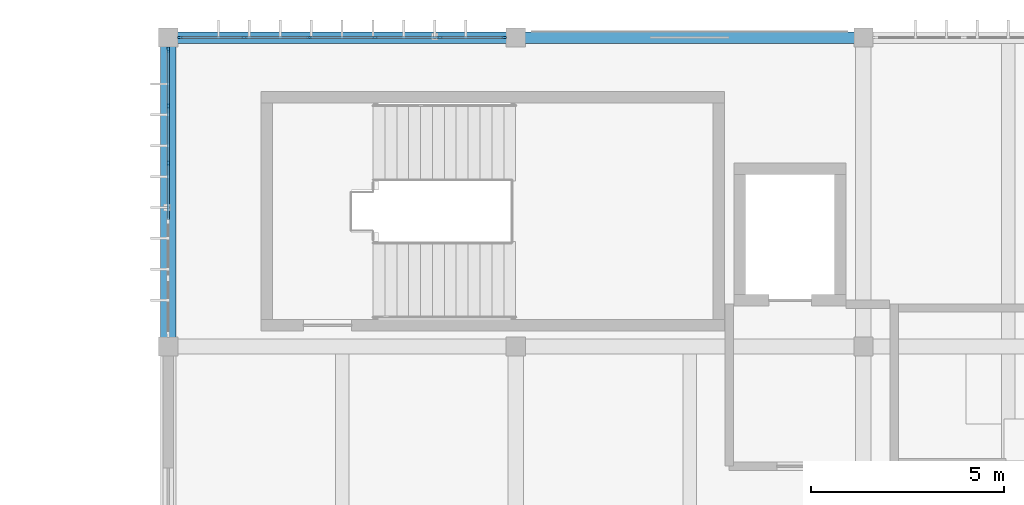
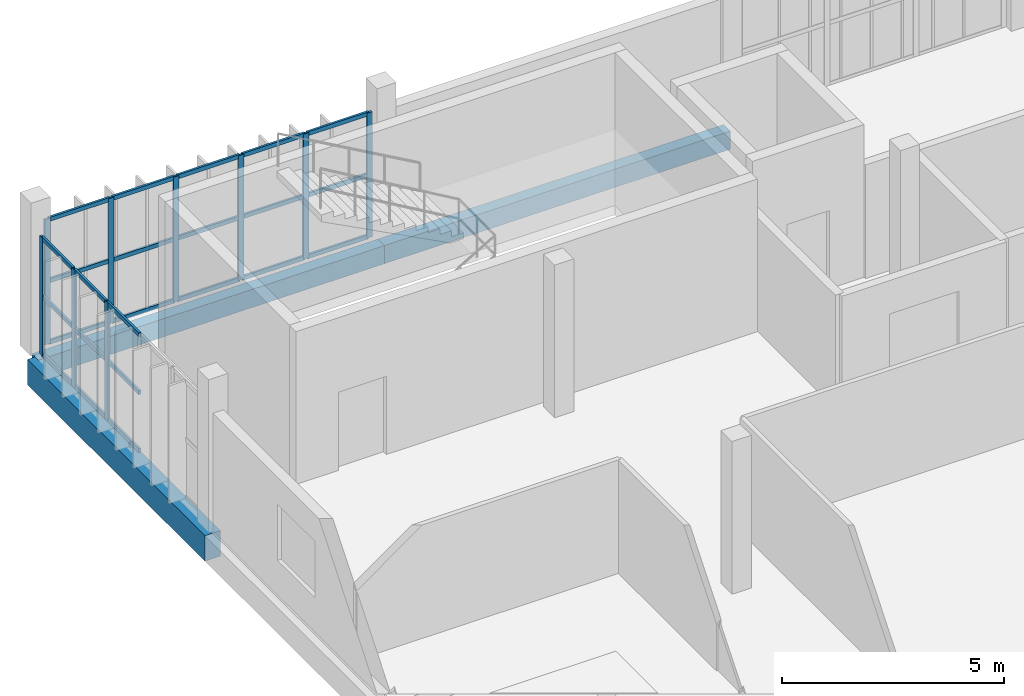
# One storey, part 4 of 27: 33 members, 3 beams, 2 elements without a shape of their own.
"""IFC4 building model written with IfcOpenShell, lengths in metres."""

from ifc_helpers import new_model, si_unit, direction, frame, origin, origin_2d, place, context, subcontext, project, spatial, rectangle, extrude, material, material_profile, profile_set, type_object, element, aggregate, save


model = new_model("IFC4")

# Units and contexts
model_context = context("Model", 3, precision=1e-05, world=origin(), true_north=direction((0.0, 1.0)))
body_context = subcontext(model_context, "Body", "Model", "MODEL_VIEW")
ifc_project = project(units=[si_unit("LENGTHUNIT", "METRE"), si_unit("AREAUNIT", "SQUARE_METRE"), si_unit("VOLUMEUNIT", "CUBIC_METRE"), si_unit("PLANEANGLEUNIT", "RADIAN"), si_unit("MASSUNIT", "GRAM", prefix="KILO")], contexts=[model_context])

# Site, building, storey
site_placement = place(None, origin())
site = spatial("IfcSite", under=ifc_project, at=site_placement, CompositionType="ELEMENT")
building_placement = place(site_placement, origin())
building = spatial("IfcBuilding", under=site, at=building_placement, Name="Vourika Railside Aquatics Centre", CompositionType="ELEMENT")
storey_placement = place(building_placement, frame((0.0, 0.0, 13.5)))
storey = spatial("IfcBuildingStorey", under=building, at=storey_placement, Name="L03", CompositionType="ELEMENT", Elevation=13.5)

# Beams
ifc_material_1 = material(Name="Concrete C35/45", Category="concrete")
ifc_material_profile_1 = material_profile(ifc_material_1, rectangle(XDim=0.39990234375, YDim=0.699951171875, at=origin_2d()), Name="RC 400x700")
ifc_profile_set_1 = profile_set([ifc_material_profile_1], Name="Concrete C35/45")
beam_type_1 = type_object("IfcBeamType", Name="BM-GIRD-400x700", PredefinedType="BEAM", material=ifc_profile_set_1)
beam_placement = place(storey_placement, frame((18.0, 108.0, -0.610107421875), z_axis=(0.0, 1.0, 0.0), x_axis=(-1.0, 0.0, 0.0)))
element("IfcBeam", 1, at=beam_placement, inside=storey, type_object=beam_type_1, Name="Floor Girder GY-L03-111", PredefinedType="BEAM", context=body_context, shape_type="SweptSolid", body=[
    extrude(rectangle(XDim=0.39990234375, YDim=0.699951171875, at=origin_2d()), origin(), (0.0, 0.0, 1.0), 8.0),
])
ifc_material_profile_2 = material_profile(ifc_material_1, rectangle(XDim=0.300048828125, YDim=0.5, at=origin_2d()), Name="RC 300x500")
ifc_profile_set_2 = profile_set([ifc_material_profile_2], Name="Concrete C35/45")
beam_type_2 = type_object("IfcBeamType", Name="BM-SPAN-300x500", PredefinedType="SPANDREL", material=ifc_profile_set_2)
for number, where, z_axis, x_axis, name in (
    (2, (18.0, 116.0, -0.510009765625), (1.0, 0.0, 0.0), (0.0, 1.0, 0.0), "Floor Beam GX-L03-085"),
    (3, (27.0, 116.0, -0.510009765625), (1.0, 0.0, 0.0), (0.0, 1.0, 0.0), "Floor Beam GX-L03-086"),
):
    element("IfcBeam", number, at=place(storey_placement, frame(where, z_axis=z_axis, x_axis=x_axis)), inside=storey, type_object=beam_type_2, Name=name, PredefinedType="SPANDREL", context=body_context, shape_type="SweptSolid", body=[
        extrude(rectangle(XDim=0.300048828125, YDim=0.5, at=origin_2d()), origin(), (0.0, 0.0, 1.0), 9.0),
    ])

# Curtain wall, members
ifc_material_2 = material(Name="Anodized thermally broken aluminium", Category="aluminium")
curtain_wall_type = type_object("IfcCurtainWallType", Name="CW-FIT3", PredefinedType="NOTDEFINED", material=ifc_material_2)
curtain_wall_1_placement = place(storey_placement, origin())
curtain_wall_1 = element("IfcCurtainWall", 4, at=curtain_wall_1_placement, inside=storey, type_object=curtain_wall_type, Name="North Boulevard Curtain Wall L03-1", PredefinedType="NOTDEFINED")
ifc_material_3 = material(Name="Anodized aluminium mullion", Category="aluminium")
ifc_material_profile_3 = material_profile(ifc_material_3, rectangle(XDim=0.05810546875, YDim=0.14208984375, at=origin_2d()), Name="ALU-M 58x142")
ifc_profile_set_3 = profile_set([ifc_material_profile_3], Name="Anodized aluminium mullion")
member_type_1 = type_object("IfcMemberType", Name="CWM-FIT3", PredefinedType="MULLION", material=ifc_profile_set_3)
member_1_placement = place(storey_placement, frame((26.69091796875, 116.0, 0.0), z_axis=(0.0, 0.0, 1.0), x_axis=(0.0, -1.0, 0.0)))
member_1 = element("IfcMember", 5, at=member_1_placement, type_object=member_type_1, Name="CW17 mullion 1", PredefinedType="MULLION", context=body_context, shape_type="SweptSolid", body=[
    extrude(rectangle(XDim=0.05810546875, YDim=0.14208984375, at=origin_2d()), origin(), (0.0, 0.0, 1.0), 3.43994140625),
])
member_2_placement = place(storey_placement, frame((25.031982421875, 116.0, 0.0), z_axis=(0.0, 0.0, 1.0), x_axis=(0.0, -1.0, 0.0)))
member_2 = element("IfcMember", 6, at=member_2_placement, type_object=member_type_1, Name="CW17 mullion 2", PredefinedType="MULLION", context=body_context, shape_type="SweptSolid", body=[
    extrude(rectangle(XDim=0.05810546875, YDim=0.14208984375, at=origin_2d()), origin(), (0.0, 0.0, 1.0), 3.43994140625),
])
member_3_placement = place(storey_placement, frame((23.343994140625, 116.0, 0.0), z_axis=(0.0, 0.0, 1.0), x_axis=(0.0, -1.0, 0.0)))
member_3 = element("IfcMember", 7, at=member_3_placement, type_object=member_type_1, Name="CW17 mullion 3", PredefinedType="MULLION", context=body_context, shape_type="SweptSolid", body=[
    extrude(rectangle(XDim=0.05810546875, YDim=0.14208984375, at=origin_2d()), origin(), (0.0, 0.0, 1.0), 3.43994140625),
])
member_4_placement = place(storey_placement, frame((21.656005859375, 116.0, 0.0), z_axis=(0.0, 0.0, 1.0), x_axis=(0.0, -1.0, 0.0)))
member_4 = element("IfcMember", 8, at=member_4_placement, type_object=member_type_1, Name="CW17 mullion 4", PredefinedType="MULLION", context=body_context, shape_type="SweptSolid", body=[
    extrude(rectangle(XDim=0.05810546875, YDim=0.14208984375, at=origin_2d()), origin(), (0.0, 0.0, 1.0), 3.43994140625),
])
member_5_placement = place(storey_placement, frame((19.968017578125, 116.0, 0.0), z_axis=(0.0, 0.0, 1.0), x_axis=(0.0, -1.0, 0.0)))
member_5 = element("IfcMember", 9, at=member_5_placement, type_object=member_type_1, Name="CW17 mullion 5", PredefinedType="MULLION", context=body_context, shape_type="SweptSolid", body=[
    extrude(rectangle(XDim=0.05810546875, YDim=0.14208984375, at=origin_2d()), origin(), (0.0, 0.0, 1.0), 3.43994140625),
])
member_6_placement = place(storey_placement, frame((18.30908203125, 116.0, 0.0), z_axis=(0.0, 0.0, 1.0), x_axis=(0.0, -1.0, 0.0)))
member_6 = element("IfcMember", 10, at=member_6_placement, type_object=member_type_1, Name="CW17 mullion 6", PredefinedType="MULLION", context=body_context, shape_type="SweptSolid", body=[
    extrude(rectangle(XDim=0.05810546875, YDim=0.14208984375, at=origin_2d()), origin(), (0.0, 0.0, 1.0), 3.43994140625),
])

curtain_wall_2_placement = place(storey_placement, origin())
curtain_wall_2 = element("IfcCurtainWall", 11, at=curtain_wall_2_placement, inside=storey, type_object=curtain_wall_type, Name="Fitness West Boulevard Curtain Wall L03-7", PredefinedType="NOTDEFINED")
member_7_placement = place(storey_placement, frame((18.0, 115.69091796875, 0.0), z_axis=(0.0, 0.0, 1.0), x_axis=(1.0, 0.0, 0.0)))
member_7 = element("IfcMember", 12, at=member_7_placement, type_object=member_type_1, Name="CW17 mullion 1", PredefinedType="MULLION", context=body_context, shape_type="SweptSolid", body=[
    extrude(rectangle(XDim=0.05810546875, YDim=0.14208984375, at=origin_2d()), origin(), (0.0, 0.0, 1.0), 3.239990234375),
])
member_8_placement = place(storey_placement, frame((18.0, 114.23193359375, 0.0), z_axis=(0.0, 0.0, 1.0), x_axis=(1.0, 0.0, 0.0)))
member_8 = element("IfcMember", 13, at=member_8_placement, type_object=member_type_1, Name="CW17 mullion 2", PredefinedType="MULLION", context=body_context, shape_type="SweptSolid", body=[
    extrude(rectangle(XDim=0.05810546875, YDim=0.14208984375, at=origin_2d()), origin(), (0.0, 0.0, 1.0), 3.239990234375),
])
member_9_placement = place(storey_placement, frame((18.0, 112.743896484375, 0.0), z_axis=(0.0, 0.0, 1.0), x_axis=(1.0, 0.0, 0.0)))
member_9 = element("IfcMember", 14, at=member_9_placement, type_object=member_type_1, Name="CW17 mullion 3", PredefinedType="MULLION", context=body_context, shape_type="SweptSolid", body=[
    extrude(rectangle(XDim=0.05810546875, YDim=0.14208984375, at=origin_2d()), origin(), (0.0, 0.0, 1.0), 3.239990234375),
])

# Member
ifc_material_4 = material(Name="Anodized aluminium transom", Category="aluminium")
ifc_material_profile_4 = material_profile(ifc_material_4, rectangle(XDim=0.05810546875, YDim=0.112060546875, at=origin_2d()), Name="ALU-T 58x112")
ifc_profile_set_4 = profile_set([ifc_material_profile_4], Name="Anodized aluminium transom")
member_type_2 = type_object("IfcMemberType", Name="CWT-FIT3", PredefinedType="USERDEFINED", material=ifc_profile_set_4)
member_10_placement = place(storey_placement, frame((26.662109375, 116.0, 0.029052734375), z_axis=(-1.0, 0.0, 0.0), x_axis=(0.0, -1.0, 0.0)))
member_10 = element("IfcMember", 15, at=member_10_placement, type_object=member_type_2, Name="CW17 transom 1.1", ObjectType="TRANSOM", PredefinedType="USERDEFINED", context=body_context, shape_type="SweptSolid", body=[
    extrude(rectangle(XDim=0.05810546875, YDim=0.112060546875, at=origin_2d()), origin(), (0.0, 0.0, 1.0), 1.60107421875),
])

member_11_placement = place(storey_placement, frame((26.662109375, 116.0, 1.719970703125), z_axis=(-1.0, 0.0, 0.0), x_axis=(0.0, -1.0, 0.0)))
member_11 = element("IfcMember", 16, at=member_11_placement, type_object=member_type_2, Name="CW17 transom 1.2", ObjectType="TRANSOM", PredefinedType="USERDEFINED", context=body_context, shape_type="SweptSolid", body=[
    extrude(rectangle(XDim=0.05810546875, YDim=0.112060546875, at=origin_2d()), origin(), (0.0, 0.0, 1.0), 1.60107421875),
])

member_12_placement = place(storey_placement, frame((26.662109375, 116.0, 3.410888671875), z_axis=(-1.0, 0.0, 0.0), x_axis=(0.0, -1.0, 0.0)))
member_12 = element("IfcMember", 17, at=member_12_placement, type_object=member_type_2, Name="CW17 transom 1.3", ObjectType="TRANSOM", PredefinedType="USERDEFINED", context=body_context, shape_type="SweptSolid", body=[
    extrude(rectangle(XDim=0.05810546875, YDim=0.112060546875, at=origin_2d()), origin(), (0.0, 0.0, 1.0), 1.60107421875),
])

member_13_placement = place(storey_placement, frame((25.0029296875, 116.0, 0.029052734375), z_axis=(-1.0, 0.0, 0.0), x_axis=(0.0, -1.0, 0.0)))
member_13 = element("IfcMember", 18, at=member_13_placement, type_object=member_type_2, Name="CW17 transom 2.1", ObjectType="TRANSOM", PredefinedType="USERDEFINED", context=body_context, shape_type="SweptSolid", body=[
    extrude(rectangle(XDim=0.05810546875, YDim=0.112060546875, at=origin_2d()), origin(), (0.0, 0.0, 1.0), 1.6298828125),
])

member_14_placement = place(storey_placement, frame((25.0029296875, 116.0, 1.719970703125), z_axis=(-1.0, 0.0, 0.0), x_axis=(0.0, -1.0, 0.0)))
member_14 = element("IfcMember", 19, at=member_14_placement, type_object=member_type_2, Name="CW17 transom 2.2", ObjectType="TRANSOM", PredefinedType="USERDEFINED", context=body_context, shape_type="SweptSolid", body=[
    extrude(rectangle(XDim=0.05810546875, YDim=0.112060546875, at=origin_2d()), origin(), (0.0, 0.0, 1.0), 1.6298828125),
])

member_15_placement = place(storey_placement, frame((25.0029296875, 116.0, 3.410888671875), z_axis=(-1.0, 0.0, 0.0), x_axis=(0.0, -1.0, 0.0)))
member_15 = element("IfcMember", 20, at=member_15_placement, type_object=member_type_2, Name="CW17 transom 2.3", ObjectType="TRANSOM", PredefinedType="USERDEFINED", context=body_context, shape_type="SweptSolid", body=[
    extrude(rectangle(XDim=0.05810546875, YDim=0.112060546875, at=origin_2d()), origin(), (0.0, 0.0, 1.0), 1.6298828125),
])

member_16_placement = place(storey_placement, frame((23.31494140625, 116.0, 0.029052734375), z_axis=(-1.0, 0.0, 0.0), x_axis=(0.0, -1.0, 0.0)))
member_16 = element("IfcMember", 21, at=member_16_placement, type_object=member_type_2, Name="CW17 transom 3.1", ObjectType="TRANSOM", PredefinedType="USERDEFINED", context=body_context, shape_type="SweptSolid", body=[
    extrude(rectangle(XDim=0.05810546875, YDim=0.112060546875, at=origin_2d()), origin(), (0.0, 0.0, 1.0), 1.6298828125),
])

member_17_placement = place(storey_placement, frame((23.31494140625, 116.0, 1.719970703125), z_axis=(-1.0, 0.0, 0.0), x_axis=(0.0, -1.0, 0.0)))
member_17 = element("IfcMember", 22, at=member_17_placement, type_object=member_type_2, Name="CW17 transom 3.2", ObjectType="TRANSOM", PredefinedType="USERDEFINED", context=body_context, shape_type="SweptSolid", body=[
    extrude(rectangle(XDim=0.05810546875, YDim=0.112060546875, at=origin_2d()), origin(), (0.0, 0.0, 1.0), 1.6298828125),
])

member_18_placement = place(storey_placement, frame((23.31494140625, 116.0, 3.410888671875), z_axis=(-1.0, 0.0, 0.0), x_axis=(0.0, -1.0, 0.0)))
member_18 = element("IfcMember", 23, at=member_18_placement, type_object=member_type_2, Name="CW17 transom 3.3", ObjectType="TRANSOM", PredefinedType="USERDEFINED", context=body_context, shape_type="SweptSolid", body=[
    extrude(rectangle(XDim=0.05810546875, YDim=0.112060546875, at=origin_2d()), origin(), (0.0, 0.0, 1.0), 1.6298828125),
])

member_19_placement = place(storey_placement, frame((21.626953125, 116.0, 0.029052734375), z_axis=(-1.0, 0.0, 0.0), x_axis=(0.0, -1.0, 0.0)))
member_19 = element("IfcMember", 24, at=member_19_placement, type_object=member_type_2, Name="CW17 transom 4.1", ObjectType="TRANSOM", PredefinedType="USERDEFINED", context=body_context, shape_type="SweptSolid", body=[
    extrude(rectangle(XDim=0.05810546875, YDim=0.112060546875, at=origin_2d()), origin(), (0.0, 0.0, 1.0), 1.6298828125),
])

member_20_placement = place(storey_placement, frame((21.626953125, 116.0, 1.719970703125), z_axis=(-1.0, 0.0, 0.0), x_axis=(0.0, -1.0, 0.0)))
member_20 = element("IfcMember", 25, at=member_20_placement, type_object=member_type_2, Name="CW17 transom 4.2", ObjectType="TRANSOM", PredefinedType="USERDEFINED", context=body_context, shape_type="SweptSolid", body=[
    extrude(rectangle(XDim=0.05810546875, YDim=0.112060546875, at=origin_2d()), origin(), (0.0, 0.0, 1.0), 1.6298828125),
])

member_21_placement = place(storey_placement, frame((21.626953125, 116.0, 3.410888671875), z_axis=(-1.0, 0.0, 0.0), x_axis=(0.0, -1.0, 0.0)))
member_21 = element("IfcMember", 26, at=member_21_placement, type_object=member_type_2, Name="CW17 transom 4.3", ObjectType="TRANSOM", PredefinedType="USERDEFINED", context=body_context, shape_type="SweptSolid", body=[
    extrude(rectangle(XDim=0.05810546875, YDim=0.112060546875, at=origin_2d()), origin(), (0.0, 0.0, 1.0), 1.6298828125),
])

member_22_placement = place(storey_placement, frame((19.93896484375, 116.0, 0.029052734375), z_axis=(-1.0, 0.0, 0.0), x_axis=(0.0, -1.0, 0.0)))
member_22 = element("IfcMember", 27, at=member_22_placement, type_object=member_type_2, Name="CW17 transom 5.1", ObjectType="TRANSOM", PredefinedType="USERDEFINED", context=body_context, shape_type="SweptSolid", body=[
    extrude(rectangle(XDim=0.05810546875, YDim=0.112060546875, at=origin_2d()), origin(), (0.0, 0.0, 1.0), 1.60107421875),
])

member_23_placement = place(storey_placement, frame((19.93896484375, 116.0, 1.719970703125), z_axis=(-1.0, 0.0, 0.0), x_axis=(0.0, -1.0, 0.0)))
member_23 = element("IfcMember", 28, at=member_23_placement, type_object=member_type_2, Name="CW17 transom 5.2", ObjectType="TRANSOM", PredefinedType="USERDEFINED", context=body_context, shape_type="SweptSolid", body=[
    extrude(rectangle(XDim=0.05810546875, YDim=0.112060546875, at=origin_2d()), origin(), (0.0, 0.0, 1.0), 1.60107421875),
])

member_24_placement = place(storey_placement, frame((19.93896484375, 116.0, 3.410888671875), z_axis=(-1.0, 0.0, 0.0), x_axis=(0.0, -1.0, 0.0)))
member_24 = element("IfcMember", 29, at=member_24_placement, type_object=member_type_2, Name="CW17 transom 5.3", ObjectType="TRANSOM", PredefinedType="USERDEFINED", context=body_context, shape_type="SweptSolid", body=[
    extrude(rectangle(XDim=0.05810546875, YDim=0.112060546875, at=origin_2d()), origin(), (0.0, 0.0, 1.0), 1.60107421875),
])

aggregate(curtain_wall_1, [member_1, member_2, member_3, member_4, member_5, member_6, member_10, member_11, member_12, member_13, member_14, member_15, member_16, member_17, member_18, member_19, member_20, member_21, member_22, member_23, member_24])

member_25_placement = place(storey_placement, frame((18.0, 115.662109375, 0.029052734375), z_axis=(0.0, -1.0, 0.0), x_axis=(1.0, 0.0, 0.0)))
member_25 = element("IfcMember", 30, at=member_25_placement, type_object=member_type_2, Name="CW17 transom 1.1", ObjectType="TRANSOM", PredefinedType="USERDEFINED", context=body_context, shape_type="SweptSolid", body=[
    extrude(rectangle(XDim=0.05810546875, YDim=0.112060546875, at=origin_2d()), origin(), (0.0, 0.0, 1.0), 1.401123046875),
])

member_26_placement = place(storey_placement, frame((18.0, 115.662109375, 1.6201171875), z_axis=(0.0, -1.0, 0.0), x_axis=(1.0, 0.0, 0.0)))
member_26 = element("IfcMember", 31, at=member_26_placement, type_object=member_type_2, Name="CW17 transom 1.2", ObjectType="TRANSOM", PredefinedType="USERDEFINED", context=body_context, shape_type="SweptSolid", body=[
    extrude(rectangle(XDim=0.05810546875, YDim=0.112060546875, at=origin_2d()), origin(), (0.0, 0.0, 1.0), 1.401123046875),
])

member_27_placement = place(storey_placement, frame((18.0, 115.662109375, 3.2109375), z_axis=(0.0, -1.0, 0.0), x_axis=(1.0, 0.0, 0.0)))
member_27 = element("IfcMember", 32, at=member_27_placement, type_object=member_type_2, Name="CW17 transom 1.3", ObjectType="TRANSOM", PredefinedType="USERDEFINED", context=body_context, shape_type="SweptSolid", body=[
    extrude(rectangle(XDim=0.05810546875, YDim=0.112060546875, at=origin_2d()), origin(), (0.0, 0.0, 1.0), 1.401123046875),
])

member_28_placement = place(storey_placement, frame((18.0, 114.202880859375, 0.029052734375), z_axis=(0.0, -1.0, 0.0), x_axis=(1.0, 0.0, 0.0)))
member_28 = element("IfcMember", 33, at=member_28_placement, type_object=member_type_2, Name="CW17 transom 2.1", ObjectType="TRANSOM", PredefinedType="USERDEFINED", context=body_context, shape_type="SweptSolid", body=[
    extrude(rectangle(XDim=0.05810546875, YDim=0.112060546875, at=origin_2d()), origin(), (0.0, 0.0, 1.0), 1.429931640625),
])

member_29_placement = place(storey_placement, frame((18.0, 114.202880859375, 1.6201171875), z_axis=(0.0, -1.0, 0.0), x_axis=(1.0, 0.0, 0.0)))
member_29 = element("IfcMember", 34, at=member_29_placement, type_object=member_type_2, Name="CW17 transom 2.2", ObjectType="TRANSOM", PredefinedType="USERDEFINED", context=body_context, shape_type="SweptSolid", body=[
    extrude(rectangle(XDim=0.05810546875, YDim=0.112060546875, at=origin_2d()), origin(), (0.0, 0.0, 1.0), 1.429931640625),
])

member_30_placement = place(storey_placement, frame((18.0, 114.202880859375, 3.2109375), z_axis=(0.0, -1.0, 0.0), x_axis=(1.0, 0.0, 0.0)))
member_30 = element("IfcMember", 35, at=member_30_placement, type_object=member_type_2, Name="CW17 transom 2.3", ObjectType="TRANSOM", PredefinedType="USERDEFINED", context=body_context, shape_type="SweptSolid", body=[
    extrude(rectangle(XDim=0.05810546875, YDim=0.112060546875, at=origin_2d()), origin(), (0.0, 0.0, 1.0), 1.429931640625),
])

member_31_placement = place(storey_placement, frame((18.0, 112.715087890625, 0.029052734375), z_axis=(0.0, -1.0, 0.0), x_axis=(1.0, 0.0, 0.0)))
member_31 = element("IfcMember", 36, at=member_31_placement, type_object=member_type_2, Name="CW17 transom 3.1", ObjectType="TRANSOM", PredefinedType="USERDEFINED", context=body_context, shape_type="SweptSolid", body=[
    extrude(rectangle(XDim=0.05810546875, YDim=0.112060546875, at=origin_2d()), origin(), (0.0, 0.0, 1.0), 1.43017578125),
])

member_32_placement = place(storey_placement, frame((18.0, 112.715087890625, 1.6201171875), z_axis=(0.0, -1.0, 0.0), x_axis=(1.0, 0.0, 0.0)))
member_32 = element("IfcMember", 37, at=member_32_placement, type_object=member_type_2, Name="CW17 transom 3.2", ObjectType="TRANSOM", PredefinedType="USERDEFINED", context=body_context, shape_type="SweptSolid", body=[
    extrude(rectangle(XDim=0.05810546875, YDim=0.112060546875, at=origin_2d()), origin(), (0.0, 0.0, 1.0), 1.43017578125),
])

member_33_placement = place(storey_placement, frame((18.0, 112.715087890625, 3.2109375), z_axis=(0.0, -1.0, 0.0), x_axis=(1.0, 0.0, 0.0)))
member_33 = element("IfcMember", 38, at=member_33_placement, type_object=member_type_2, Name="CW17 transom 3.3", ObjectType="TRANSOM", PredefinedType="USERDEFINED", context=body_context, shape_type="SweptSolid", body=[
    extrude(rectangle(XDim=0.05810546875, YDim=0.112060546875, at=origin_2d()), origin(), (0.0, 0.0, 1.0), 1.43017578125),
])

aggregate(curtain_wall_2, [member_7, member_8, member_9, member_25, member_26, member_27, member_28, member_29, member_30, member_31, member_32, member_33])

save(model, "model.ifc")
